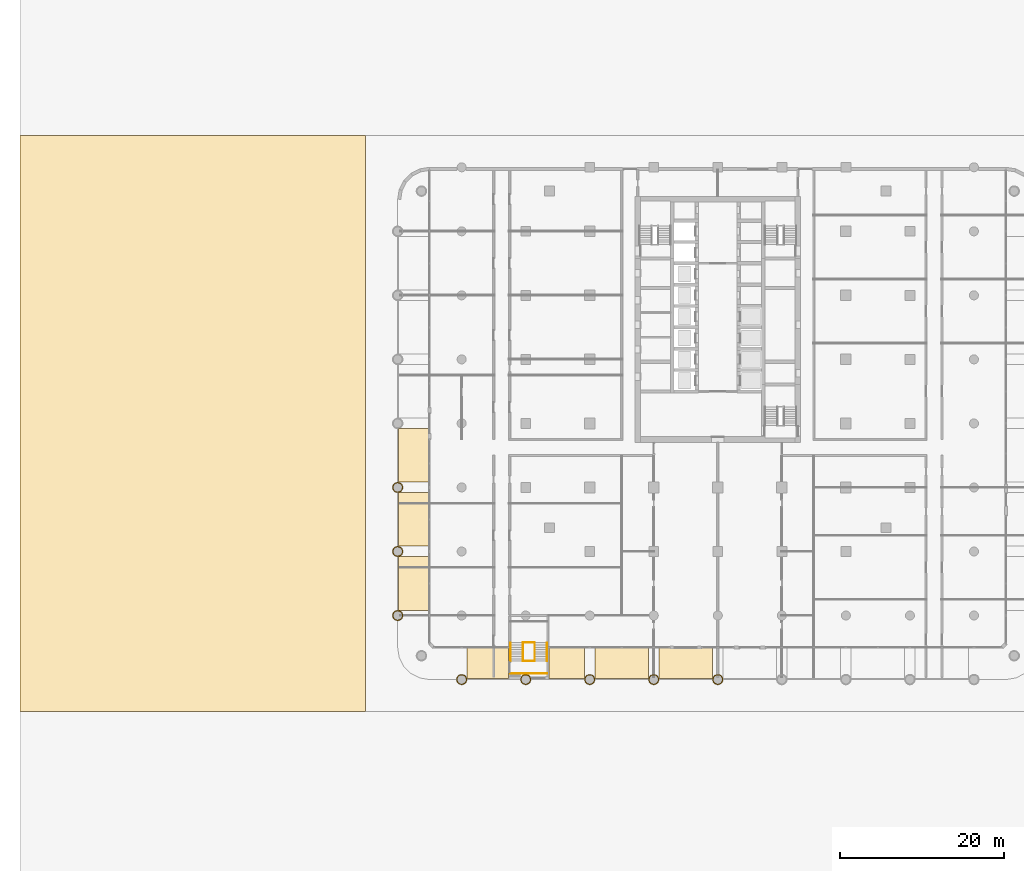
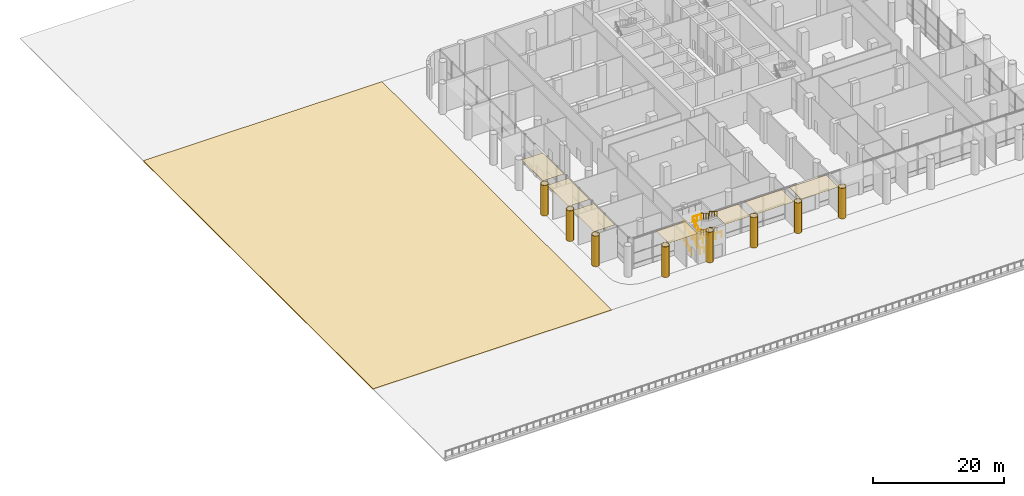
# One storey, part 25 of 32: 16 coverings, 13 railings, 1 element without a shape of its own.
"""IFC4 building model written with IfcOpenShell, lengths in metres."""

import ifcopenshell
import ifcopenshell.guid

model = None  # the IFC model being written
_history = None  # IfcOwnerHistory: only IFC2X3 demands one
_inside = {}  # id of a spatial element -> (the spatial element, [elements in it])
_under = {}  # id of a project, library or spatial element -> (it, [spatial elements below it])
_declared = {}  # id of a project -> (the project, [libraries it declares])
_typed = {}  # id of a type object -> (the type object, [elements of that type])
_made_of = {}  # id of a material, layer set ... -> (it, [elements and type objects made of it])


def new_model(schema):
    """Start an empty IFC model of exactly this schema.

    Asked for "IFC4X3", IfcOpenShell would pick the latest addendum, in which some entities
    have other attributes; the version numbers below select the first issue.
    IFC2X3 requires an IfcOwnerHistory on every rooted entity: one is made here for all.
    """
    global model, _history
    if schema == "IFC4X3":
        model = ifcopenshell.file(schema_version=(4, 3, 0, 0))
    else:
        model = ifcopenshell.file(schema=schema)
    _inside.clear()
    _under.clear()
    _declared.clear()
    _typed.clear()
    _made_of.clear()
    _history = None
    if model.schema == "IFC2X3":
        org = make("IfcOrganization", Name="unknown")
        user = make(
            "IfcPersonAndOrganization",
            ThePerson=make("IfcPerson", FamilyName="unknown"),
            TheOrganization=org,
        )
        app = make(
            "IfcApplication",
            ApplicationDeveloper=org,
            Version="unknown",
            ApplicationFullName="unknown",
            ApplicationIdentifier="unknown",
        )
        _history = make(
            "IfcOwnerHistory",
            OwningUser=user,
            OwningApplication=app,
            ChangeAction="ADDED",
            CreationDate=0,
        )
    return model


def make(cls, **values):
    """One entity of the class cls with the attributes given. An attribute that is None is left unset."""
    return model.create_entity(
        cls, **{name: value for name, value in values.items() if value is not None}
    )


def rooted(cls, **values):
    """An entity with a GlobalId (a new one), such as an element, a storey or a relation."""
    return make(cls, GlobalId=ifcopenshell.guid.new(), OwnerHistory=_history, **values)


def si_unit(unit_type, name, prefix=None):
    """IfcSIUnit, for example si_unit("LENGTHUNIT", "METRE", prefix="MILLI")."""
    return make("IfcSIUnit", UnitType=unit_type, Prefix=prefix, Name=name)


def assignment(units):
    """IfcUnitAssignment: the units of a project."""
    return None if units is None else make("IfcUnitAssignment", Units=units)


def point(xyz):
    """IfcCartesianPoint."""
    return None if xyz is None else make("IfcCartesianPoint", Coordinates=xyz)


def direction(xyz):
    """IfcDirection."""
    return None if xyz is None else make("IfcDirection", DirectionRatios=xyz)


def frame(location, z_axis=None, x_axis=None):
    """IfcAxis2Placement3D, a coordinate frame: its origin and axes. An axis left out is left unset."""
    return make(
        "IfcAxis2Placement3D",
        Location=point(location),
        Axis=direction(z_axis),
        RefDirection=direction(x_axis),
    )


def frame_2d(location, x_axis=None):
    """IfcAxis2Placement2D, a coordinate frame in the plane: its origin and x axis."""
    return make(
        "IfcAxis2Placement2D", Location=point(location), RefDirection=direction(x_axis)
    )


def origin():
    """The frame at (0, 0, 0) with its axes left unset."""
    return frame((0.0, 0.0, 0.0))


def origin_2d():
    """The frame at (0, 0) in the plane with its x axis left unset."""
    return frame_2d((0.0, 0.0))


def place(relative_to, where):
    """IfcLocalPlacement: puts the frame where relative to a parent placement (None: the world)."""
    return make(
        "IfcLocalPlacement", PlacementRelTo=relative_to, RelativePlacement=where
    )


def context(
    kind, dimensions, precision=None, world=None, true_north=None, identifier=None
):
    """IfcGeometricRepresentationContext, for example the 3D "Model" context."""
    return make(
        "IfcGeometricRepresentationContext",
        ContextIdentifier=identifier,
        ContextType=kind,
        CoordinateSpaceDimension=dimensions,
        Precision=precision,
        WorldCoordinateSystem=world,
        TrueNorth=true_north,
    )


def subcontext(parent, identifier, kind, view, scale=None):
    """IfcGeometricRepresentationSubContext, for example "Body" below "Model"."""
    return make(
        "IfcGeometricRepresentationSubContext",
        ContextIdentifier=identifier,
        ContextType=kind,
        ParentContext=parent,
        TargetScale=scale,
        TargetView=view,
    )


def project(units=None, contexts=None):
    """IfcProject with its units and contexts."""
    return rooted(
        "IfcProject",
        Name="project",
        RepresentationContexts=contexts,
        UnitsInContext=assignment(units),
    )


def spatial(cls, under=None, at=None, **own):
    """A site, building, storey or space (cls), placed at a placement, below another one or the project."""
    s = rooted(cls, ObjectPlacement=at, **own)
    if under is not None:
        _under.setdefault(under.id(), (under, []))[1].append(s)
    return s


def polyline(points):
    """IfcPolyline through the points."""
    return make("IfcPolyline", Points=[point(p) for p in points])


def profile(cls, at=None, kind="AREA", **sizes):
    """A parametric profile (cls). Its sizes go by their IFC names, for example OverallWidth=200.0."""
    return make(cls, ProfileType=kind, Position=at, **sizes)


def rectangle(**sizes):
    """IfcRectangleProfileDef."""
    return profile("IfcRectangleProfileDef", **sizes)


def circle(**sizes):
    """IfcCircleProfileDef."""
    return profile("IfcCircleProfileDef", **sizes)


def outline(outer, holes=None, kind="AREA"):
    """IfcArbitraryClosedProfileDef: a profile drawn as a closed curve; with holes, ...WithVoids."""
    if holes is None:
        return make("IfcArbitraryClosedProfileDef", ProfileType=kind, OuterCurve=outer)
    return make(
        "IfcArbitraryProfileDefWithVoids",
        ProfileType=kind,
        OuterCurve=outer,
        InnerCurves=holes,
    )


def extrude(swept, where, along, depth):
    """IfcExtrudedAreaSolid: the profile swept, set in the frame where, extruded along a direction by depth."""
    return make(
        "IfcExtrudedAreaSolid",
        SweptArea=swept,
        Position=where,
        ExtrudedDirection=direction(along),
        Depth=depth,
    )


def shape(context_of_items, identifier, shape_type, items):
    """IfcShapeRepresentation: the items that make up one representation, for example the "Body"."""
    return make(
        "IfcShapeRepresentation",
        ContextOfItems=context_of_items,
        RepresentationIdentifier=identifier,
        RepresentationType=shape_type,
        Items=items,
    )


def material(Name=None, Category=None):
    """IfcMaterial."""
    return make("IfcMaterial", Name=Name, Category=Category)


def layer(
    of_material, thickness, ventilated=None, Name=None, Category=None, Priority=None
):
    """IfcMaterialLayer: one layer of a wall or slab, of a material (None: an air gap)."""
    return make(
        "IfcMaterialLayer",
        Material=of_material,
        LayerThickness=thickness,
        IsVentilated=ventilated,
        Name=Name,
        Category=Category,
        Priority=Priority,
    )


def layer_set(layers, Name=None):
    """IfcMaterialLayerSet."""
    return make("IfcMaterialLayerSet", MaterialLayers=layers, LayerSetName=Name)


def made_of(thing, what):
    """Note that an element or type object is made of a material, layer set ...; save() writes the relation."""
    if what is not None:
        _made_of.setdefault(what.id(), (what, []))[1].append(thing)
    return thing


def type_object(cls, material=None, **own):
    """A type object (cls), such as IfcWallType, which elements share."""
    return made_of(rooted(cls, **own), material)


def element(
    cls,
    number,
    at=None,
    inside=None,
    cuts=None,
    type_object=None,
    material=None,
    context=None,
    identifier="Body",
    shape_type=None,
    held_by="IfcProductDefinitionShape",
    body=None,
    shapes=None,
    **own,
):
    """One element of the class cls, such as IfcWall. Its Tag is "e" and its number.

    at: its placement. inside: the storey or other place that contains it. cuts: it is an
    opening in that element (IfcRelVoidsElement). A single representation is given by context,
    identifier, shape_type and body (its items); several are given by shapes. held_by: the class
    of the entity that holds the representations. save() writes the other relations.
    """
    e = rooted(cls, Tag="e%d" % number, ObjectPlacement=at, **own)
    if body is not None:
        shapes = [shape(context, identifier, shape_type, body)]
    if shapes is not None:
        e.Representation = make(held_by, Representations=shapes)
    if inside is not None:
        _inside.setdefault(inside.id(), (inside, []))[1].append(e)
    if cuts is not None:
        rooted(
            "IfcRelVoidsElement", RelatingBuildingElement=cuts, RelatedOpeningElement=e
        )
    if type_object is not None:
        _typed.setdefault(type_object.id(), (type_object, []))[1].append(e)
    return made_of(e, material)


def aggregate(whole, parts):
    """IfcRelAggregates: a whole, such as a stair, and the parts it consists of."""
    return rooted("IfcRelAggregates", RelatingObject=whole, RelatedObjects=parts)


def save(model, path):
    """Write the relations noted so far, then the file.

    IfcRelAggregates (storeys below a building ...), IfcRelContainedInSpatialStructure (elements
    in a storey), IfcRelDefinesByType, IfcRelAssociatesMaterial and IfcRelDeclares: one each for
    every whole, place, type object, material and project.
    """
    for whole, parts in _under.values():
        aggregate(whole, parts)
    for where, things in _inside.values():
        rooted(
            "IfcRelContainedInSpatialStructure",
            RelatedElements=things,
            RelatingStructure=where,
        )
    for kind, things in _typed.values():
        rooted("IfcRelDefinesByType", RelatedObjects=things, RelatingType=kind)
    for what, things in _made_of.values():
        rooted("IfcRelAssociatesMaterial", RelatedObjects=things, RelatingMaterial=what)
    for by, libraries in _declared.values():
        rooted("IfcRelDeclares", RelatingContext=by, RelatedDefinitions=libraries)
    model.write(path)


model = new_model("IFC4")

# Units and contexts
model_context = context("Model", 3, precision=1e-05, world=origin(), true_north=direction((0.0, 1.0)))
body_context = subcontext(model_context, "Body", "Model", "MODEL_VIEW")
ifc_project = project(units=[si_unit("LENGTHUNIT", "METRE"), si_unit("AREAUNIT", "SQUARE_METRE"), si_unit("VOLUMEUNIT", "CUBIC_METRE"), si_unit("PLANEANGLEUNIT", "RADIAN"), si_unit("MASSUNIT", "GRAM", prefix="KILO")], contexts=[model_context])

# Site, building, storey
site_placement = place(None, origin())
site = spatial("IfcSite", under=ifc_project, at=site_placement, CompositionType="ELEMENT")
building_placement = place(site_placement, origin())
building = spatial("IfcBuilding", under=site, at=building_placement, Name="Ludao Terraces", CompositionType="ELEMENT")
storey_placement = place(building_placement, origin())
storey = spatial("IfcBuildingStorey", under=building, at=storey_placement, Name="L00", CompositionType="ELEMENT", Elevation=0.0)

# Coverings
ifc_material_1 = material(Name="Stone-effect cement board ceiling lining", Category="masonry")
ifc_layer_1 = layer(ifc_material_1, 0.030029296875)
ifc_layer_set_1 = layer_set([ifc_layer_1], Name="ENV Arcade ceiling lining 30")
covering_type_1 = type_object("IfcCoveringType", Name="ENV Arcade ceiling lining 30", PredefinedType="CEILING", material=ifc_layer_set_1)
covering_1_placement = place(storey_placement, frame((56.985107421875, 27.9599609375, 5.669921875), z_axis=(0.0, 0.0, 1.0), x_axis=(1.0, 0.0, 0.0)))
element("IfcCovering", 1, at=covering_1_placement, inside=storey, type_object=covering_type_1, Name="CL-L00-S1", PredefinedType="CEILING", context=body_context, shape_type="SweptSolid", body=[
    extrude(rectangle(XDim=5.090087890625, YDim=3.719970703125, at=origin_2d()), origin(), (0.0, 0.0, 1.0), 0.030029296875),
])
covering_2_placement = place(storey_placement, frame((66.590087890625, 27.9599609375, 5.669921875), z_axis=(0.0, 0.0, 1.0), x_axis=(1.0, 0.0, 0.0)))
element("IfcCovering", 2, at=covering_2_placement, inside=storey, type_object=covering_type_1, Name="CL-L00-S2", PredefinedType="CEILING", context=body_context, shape_type="SweptSolid", body=[
    extrude(rectangle(XDim=4.340087890625, YDim=3.719970703125, at=origin_2d()), origin(), (0.0, 0.0, 1.0), 0.030029296875),
])
for number, where, z_axis, x_axis, name in (
    (3, (73.300048828125, 27.9599609375, 5.669921875), (0.0, 0.0, 1.0), (1.0, 0.0, 0.0), "CL-L00-S3"),
    (4, (81.10009765625, 27.9599609375, 5.669921875), (0.0, 0.0, 1.0), (1.0, 0.0, 0.0), "CL-L00-S4"),
):
    element("IfcCovering", number, at=place(storey_placement, frame(where, z_axis=z_axis, x_axis=x_axis)), inside=storey, type_object=covering_type_1, Name=name, PredefinedType="CEILING", context=body_context, shape_type="SweptSolid", body=[
        extrude(rectangle(XDim=6.52001953125, YDim=3.719970703125, at=origin_2d()), origin(), (0.0, 0.0, 1.0), 0.030029296875),
    ])
for number, where, z_axis, x_axis, name in (
    (5, (47.9599609375, 37.699951171875, 5.669921875), (0.0, 0.0, 1.0), (1.0, 0.0, 0.0), "CL-L00-W1"),
    (6, (47.9599609375, 45.5, 5.669921875), (0.0, 0.0, 1.0), (1.0, 0.0, 0.0), "CL-L00-W2"),
    (7, (47.9599609375, 53.300048828125, 5.669921875), (0.0, 0.0, 1.0), (1.0, 0.0, 0.0), "CL-L00-W3"),
):
    element("IfcCovering", number, at=place(storey_placement, frame(where, z_axis=z_axis, x_axis=x_axis)), inside=storey, type_object=covering_type_1, Name=name, PredefinedType="CEILING", context=body_context, shape_type="SweptSolid", body=[
        extrude(rectangle(XDim=3.719970703125, YDim=6.52001953125, at=origin_2d()), origin(), (0.0, 0.0, 1.0), 0.030029296875),
    ])
ifc_material_2 = material(Name="Granite paving", Category="masonry")
ifc_layer_2 = layer(ifc_material_2, 0.14990234375)
ifc_layer_set_2 = layer_set([ifc_layer_2], Name="ENV Paving 150")
covering_type_2 = type_object("IfcCoveringType", Name="ENV Paving 150", PredefinedType="USERDEFINED", material=ifc_layer_set_2)
covering_3_placement = place(storey_placement, frame((0.0, 0.0, -0.14990234375)))
element("IfcCovering", 8, at=covering_3_placement, inside=storey, type_object=covering_type_2, Name="West Plaza paving", ObjectType="PAVING", PredefinedType="USERDEFINED", context=body_context, shape_type="SweptSolid", body=[
    extrude(outline(polyline([(0.0, 22.10009765625), (42.10009765625, 22.10009765625), (42.10009765625, 92.300048828125), (0.0, 92.300048828125), (0.0, 22.10009765625)])), origin(), (0.0, 0.0, 1.0), 0.14990234375),
])
ifc_material_3 = material(Name="Granite cladding", Category="masonry")
ifc_layer_3 = layer(ifc_material_3, 0.06005859375)
ifc_layer_set_3 = layer_set([ifc_layer_3], Name="ENV Stone column casing 60")
covering_type_3 = type_object("IfcCoveringType", Name="ENV Stone column casing 60", PredefinedType="CLADDING", material=ifc_layer_set_3)
covering_4_placement = place(storey_placement, origin())
element("IfcCovering", 9, at=covering_4_placement, inside=storey, type_object=covering_type_3, Name="CC-L00-G-156x-078", PredefinedType="CLADDING", context=body_context, shape_type="SweptSolid", body=[
    extrude(outline(polyline([(46.61474609375, 33.800048828125), (46.59375, 33.959228515625), (46.532470703125, 34.107421875), (46.4345703125, 34.234619140625), (46.307373046875, 34.332275390625), (46.1591796875, 34.393798828125), (46.0, 34.414794921875), (45.8408203125, 34.393798828125), (45.692626953125, 34.332275390625), (45.5654296875, 34.234619140625), (45.467529296875, 34.107421875), (45.40625, 33.959228515625), (45.38525390625, 33.800048828125), (45.40625, 33.640869140625), (45.467529296875, 33.49267578125), (45.5654296875, 33.365234375), (45.692626953125, 33.267578125), (45.8408203125, 33.206298828125), (46.0, 33.185302734375), (46.1591796875, 33.206298828125), (46.307373046875, 33.267578125), (46.4345703125, 33.365234375), (46.532470703125, 33.49267578125), (46.59375, 33.640869140625), (46.61474609375, 33.800048828125)]), holes=[polyline([(46.535888671875, 33.656494140625), (46.48046875, 33.522705078125), (46.392333984375, 33.40771484375), (46.27734375, 33.319580078125), (46.1435546875, 33.26416015625), (46.0, 33.245361328125), (45.8564453125, 33.26416015625), (45.72265625, 33.319580078125), (45.607666015625, 33.40771484375), (45.51953125, 33.522705078125), (45.464111328125, 33.656494140625), (45.4453125, 33.800048828125), (45.464111328125, 33.943603515625), (45.51953125, 34.077392578125), (45.607666015625, 34.1923828125), (45.72265625, 34.280517578125), (45.8564453125, 34.3359375), (46.0, 34.354736328125), (46.1435546875, 34.3359375), (46.27734375, 34.280517578125), (46.392333984375, 34.1923828125), (46.48046875, 34.077392578125), (46.535888671875, 33.943603515625), (46.5546875, 33.800048828125), (46.535888671875, 33.656494140625)])]), origin(), (0.0, 0.0, 1.0), 5.699951171875),
])
covering_5_placement = place(storey_placement, origin())
element("IfcCovering", 10, at=covering_5_placement, inside=storey, type_object=covering_type_3, Name="CC-L00-G-156x0000", PredefinedType="CLADDING", context=body_context, shape_type="SweptSolid", body=[
    extrude(outline(polyline([(46.61474609375, 41.60009765625), (46.59375, 41.759033203125), (46.532470703125, 41.907470703125), (46.4345703125, 42.03466796875), (46.307373046875, 42.13232421875), (46.1591796875, 42.19384765625), (46.0, 42.21484375), (45.8408203125, 42.19384765625), (45.692626953125, 42.13232421875), (45.5654296875, 42.03466796875), (45.467529296875, 41.907470703125), (45.40625, 41.759033203125), (45.38525390625, 41.60009765625), (45.40625, 41.44091796875), (45.467529296875, 41.292724609375), (45.5654296875, 41.165283203125), (45.692626953125, 41.067626953125), (45.8408203125, 41.006103515625), (46.0, 40.9853515625), (46.1591796875, 41.006103515625), (46.307373046875, 41.067626953125), (46.4345703125, 41.165283203125), (46.532470703125, 41.292724609375), (46.59375, 41.44091796875), (46.61474609375, 41.60009765625)]), holes=[polyline([(46.535888671875, 41.45654296875), (46.48046875, 41.322509765625), (46.392333984375, 41.207763671875), (46.27734375, 41.11962890625), (46.1435546875, 41.064208984375), (46.0, 41.045166015625), (45.8564453125, 41.064208984375), (45.72265625, 41.11962890625), (45.607666015625, 41.207763671875), (45.51953125, 41.322509765625), (45.464111328125, 41.45654296875), (45.4453125, 41.60009765625), (45.464111328125, 41.74365234375), (45.51953125, 41.87744140625), (45.607666015625, 41.9921875), (45.72265625, 42.080322265625), (45.8564453125, 42.1357421875), (46.0, 42.15478515625), (46.1435546875, 42.1357421875), (46.27734375, 42.080322265625), (46.392333984375, 41.9921875), (46.48046875, 41.87744140625), (46.535888671875, 41.74365234375), (46.5546875, 41.60009765625), (46.535888671875, 41.45654296875)])]), origin(), (0.0, 0.0, 1.0), 5.699951171875),
])
covering_6_placement = place(storey_placement, origin())
element("IfcCovering", 11, at=covering_6_placement, inside=storey, type_object=covering_type_3, Name="CC-L00-G-156x0078", PredefinedType="CLADDING", context=body_context, shape_type="SweptSolid", body=[
    extrude(outline(polyline([(46.61474609375, 49.39990234375), (46.59375, 49.55908203125), (46.532470703125, 49.707275390625), (46.4345703125, 49.834716796875), (46.307373046875, 49.932373046875), (46.1591796875, 49.993896484375), (46.0, 50.0146484375), (45.8408203125, 49.993896484375), (45.692626953125, 49.932373046875), (45.5654296875, 49.834716796875), (45.467529296875, 49.707275390625), (45.40625, 49.55908203125), (45.38525390625, 49.39990234375), (45.40625, 49.240966796875), (45.467529296875, 49.092529296875), (45.5654296875, 48.96533203125), (45.692626953125, 48.86767578125), (45.8408203125, 48.80615234375), (46.0, 48.78515625), (46.1591796875, 48.80615234375), (46.307373046875, 48.86767578125), (46.4345703125, 48.96533203125), (46.532470703125, 49.092529296875), (46.59375, 49.240966796875), (46.61474609375, 49.39990234375)]), holes=[polyline([(46.535888671875, 49.25634765625), (46.48046875, 49.12255859375), (46.392333984375, 49.0078125), (46.27734375, 48.919677734375), (46.1435546875, 48.8642578125), (46.0, 48.84521484375), (45.8564453125, 48.8642578125), (45.72265625, 48.919677734375), (45.607666015625, 49.0078125), (45.51953125, 49.12255859375), (45.464111328125, 49.25634765625), (45.4453125, 49.39990234375), (45.464111328125, 49.54345703125), (45.51953125, 49.677490234375), (45.607666015625, 49.792236328125), (45.72265625, 49.88037109375), (45.8564453125, 49.935791015625), (46.0, 49.954833984375), (46.1435546875, 49.935791015625), (46.27734375, 49.88037109375), (46.392333984375, 49.792236328125), (46.48046875, 49.677490234375), (46.535888671875, 49.54345703125), (46.5546875, 49.39990234375), (46.535888671875, 49.25634765625)])]), origin(), (0.0, 0.0, 1.0), 5.699951171875),
])
covering_7_placement = place(storey_placement, origin())
element("IfcCovering", 12, at=covering_7_placement, inside=storey, type_object=covering_type_3, Name="CC-L00-G-078x-156", PredefinedType="CLADDING", context=body_context, shape_type="SweptSolid", body=[
    extrude(outline(polyline([(54.414794921875, 26.0), (54.393798828125, 26.1591796875), (54.332275390625, 26.307373046875), (54.234619140625, 26.4345703125), (54.107421875, 26.532470703125), (53.959228515625, 26.59375), (53.800048828125, 26.61474609375), (53.640869140625, 26.59375), (53.49267578125, 26.532470703125), (53.365234375, 26.4345703125), (53.267578125, 26.307373046875), (53.206298828125, 26.1591796875), (53.185302734375, 26.0), (53.206298828125, 25.8408203125), (53.267578125, 25.692626953125), (53.365234375, 25.5654296875), (53.49267578125, 25.467529296875), (53.640869140625, 25.40625), (53.800048828125, 25.38525390625), (53.959228515625, 25.40625), (54.107421875, 25.467529296875), (54.234619140625, 25.5654296875), (54.332275390625, 25.692626953125), (54.393798828125, 25.8408203125), (54.414794921875, 26.0)]), holes=[polyline([(54.3359375, 25.8564453125), (54.280517578125, 25.72265625), (54.1923828125, 25.607666015625), (54.077392578125, 25.51953125), (53.943603515625, 25.464111328125), (53.800048828125, 25.4453125), (53.656494140625, 25.464111328125), (53.522705078125, 25.51953125), (53.40771484375, 25.607666015625), (53.319580078125, 25.72265625), (53.26416015625, 25.8564453125), (53.245361328125, 26.0), (53.26416015625, 26.1435546875), (53.319580078125, 26.27734375), (53.40771484375, 26.392333984375), (53.522705078125, 26.48046875), (53.656494140625, 26.535888671875), (53.800048828125, 26.5546875), (53.943603515625, 26.535888671875), (54.077392578125, 26.48046875), (54.1923828125, 26.392333984375), (54.280517578125, 26.27734375), (54.3359375, 26.1435546875), (54.354736328125, 26.0), (54.3359375, 25.8564453125)])]), origin(), (0.0, 0.0, 1.0), 5.699951171875),
])
covering_8_placement = place(storey_placement, origin())
element("IfcCovering", 13, at=covering_8_placement, inside=storey, type_object=covering_type_3, Name="CC-L00-G0000x-156", PredefinedType="CLADDING", context=body_context, shape_type="SweptSolid", body=[
    extrude(outline(polyline([(62.21484375, 26.0), (62.19384765625, 26.1591796875), (62.13232421875, 26.307373046875), (62.03466796875, 26.4345703125), (61.907470703125, 26.532470703125), (61.759033203125, 26.59375), (61.60009765625, 26.61474609375), (61.44091796875, 26.59375), (61.292724609375, 26.532470703125), (61.165283203125, 26.4345703125), (61.067626953125, 26.307373046875), (61.006103515625, 26.1591796875), (60.9853515625, 26.0), (61.006103515625, 25.8408203125), (61.067626953125, 25.692626953125), (61.165283203125, 25.5654296875), (61.292724609375, 25.467529296875), (61.44091796875, 25.40625), (61.60009765625, 25.38525390625), (61.759033203125, 25.40625), (61.907470703125, 25.467529296875), (62.03466796875, 25.5654296875), (62.13232421875, 25.692626953125), (62.19384765625, 25.8408203125), (62.21484375, 26.0)]), holes=[polyline([(62.1357421875, 25.8564453125), (62.080322265625, 25.72265625), (61.9921875, 25.607666015625), (61.87744140625, 25.51953125), (61.74365234375, 25.464111328125), (61.60009765625, 25.4453125), (61.45654296875, 25.464111328125), (61.322509765625, 25.51953125), (61.207763671875, 25.607666015625), (61.11962890625, 25.72265625), (61.064208984375, 25.8564453125), (61.045166015625, 26.0), (61.064208984375, 26.1435546875), (61.11962890625, 26.27734375), (61.207763671875, 26.392333984375), (61.322509765625, 26.48046875), (61.45654296875, 26.535888671875), (61.60009765625, 26.5546875), (61.74365234375, 26.535888671875), (61.87744140625, 26.48046875), (61.9921875, 26.392333984375), (62.080322265625, 26.27734375), (62.1357421875, 26.1435546875), (62.15478515625, 26.0), (62.1357421875, 25.8564453125)])]), origin(), (0.0, 0.0, 1.0), 5.699951171875),
])
covering_9_placement = place(storey_placement, origin())
element("IfcCovering", 14, at=covering_9_placement, inside=storey, type_object=covering_type_3, Name="CC-L00-G0078x-156", PredefinedType="CLADDING", context=body_context, shape_type="SweptSolid", body=[
    extrude(outline(polyline([(70.0146484375, 26.0), (69.993896484375, 26.1591796875), (69.932373046875, 26.307373046875), (69.834716796875, 26.4345703125), (69.707275390625, 26.532470703125), (69.55908203125, 26.59375), (69.39990234375, 26.61474609375), (69.240966796875, 26.59375), (69.092529296875, 26.532470703125), (68.96533203125, 26.4345703125), (68.86767578125, 26.307373046875), (68.80615234375, 26.1591796875), (68.78515625, 26.0), (68.80615234375, 25.8408203125), (68.86767578125, 25.692626953125), (68.96533203125, 25.5654296875), (69.092529296875, 25.467529296875), (69.240966796875, 25.40625), (69.39990234375, 25.38525390625), (69.55908203125, 25.40625), (69.707275390625, 25.467529296875), (69.834716796875, 25.5654296875), (69.932373046875, 25.692626953125), (69.993896484375, 25.8408203125), (70.0146484375, 26.0)]), holes=[polyline([(69.935791015625, 25.8564453125), (69.88037109375, 25.72265625), (69.792236328125, 25.607666015625), (69.677490234375, 25.51953125), (69.54345703125, 25.464111328125), (69.39990234375, 25.4453125), (69.25634765625, 25.464111328125), (69.12255859375, 25.51953125), (69.0078125, 25.607666015625), (68.919677734375, 25.72265625), (68.8642578125, 25.8564453125), (68.84521484375, 26.0), (68.8642578125, 26.1435546875), (68.919677734375, 26.27734375), (69.0078125, 26.392333984375), (69.12255859375, 26.48046875), (69.25634765625, 26.535888671875), (69.39990234375, 26.5546875), (69.54345703125, 26.535888671875), (69.677490234375, 26.48046875), (69.792236328125, 26.392333984375), (69.88037109375, 26.27734375), (69.935791015625, 26.1435546875), (69.954833984375, 26.0), (69.935791015625, 25.8564453125)])]), origin(), (0.0, 0.0, 1.0), 5.699951171875),
])
covering_10_placement = place(storey_placement, origin())
element("IfcCovering", 15, at=covering_10_placement, inside=storey, type_object=covering_type_3, Name="CC-L00-G0156x-156", PredefinedType="CLADDING", context=body_context, shape_type="SweptSolid", body=[
    extrude(outline(polyline([(77.814697265625, 26.0), (77.793701171875, 26.1591796875), (77.732421875, 26.307373046875), (77.634765625, 26.4345703125), (77.50732421875, 26.532470703125), (77.359130859375, 26.59375), (77.199951171875, 26.61474609375), (77.040771484375, 26.59375), (76.892578125, 26.532470703125), (76.765380859375, 26.4345703125), (76.667724609375, 26.307373046875), (76.606201171875, 26.1591796875), (76.585205078125, 26.0), (76.606201171875, 25.8408203125), (76.667724609375, 25.692626953125), (76.765380859375, 25.5654296875), (76.892578125, 25.467529296875), (77.040771484375, 25.40625), (77.199951171875, 25.38525390625), (77.359130859375, 25.40625), (77.50732421875, 25.467529296875), (77.634765625, 25.5654296875), (77.732421875, 25.692626953125), (77.793701171875, 25.8408203125), (77.814697265625, 26.0)]), holes=[polyline([(77.73583984375, 25.8564453125), (77.680419921875, 25.72265625), (77.59228515625, 25.607666015625), (77.477294921875, 25.51953125), (77.343505859375, 25.464111328125), (77.199951171875, 25.4453125), (77.056396484375, 25.464111328125), (76.922607421875, 25.51953125), (76.8076171875, 25.607666015625), (76.719482421875, 25.72265625), (76.6640625, 25.8564453125), (76.645263671875, 26.0), (76.6640625, 26.1435546875), (76.719482421875, 26.27734375), (76.8076171875, 26.392333984375), (76.922607421875, 26.48046875), (77.056396484375, 26.535888671875), (77.199951171875, 26.5546875), (77.343505859375, 26.535888671875), (77.477294921875, 26.48046875), (77.59228515625, 26.392333984375), (77.680419921875, 26.27734375), (77.73583984375, 26.1435546875), (77.754638671875, 26.0), (77.73583984375, 25.8564453125)])]), origin(), (0.0, 0.0, 1.0), 5.699951171875),
])
covering_11_placement = place(storey_placement, origin())
element("IfcCovering", 16, at=covering_11_placement, inside=storey, type_object=covering_type_3, Name="CC-L00-G0234x-156", PredefinedType="CLADDING", context=body_context, shape_type="SweptSolid", body=[
    extrude(outline(polyline([(85.61474609375, 26.0), (85.59375, 26.1591796875), (85.532470703125, 26.307373046875), (85.4345703125, 26.4345703125), (85.307373046875, 26.532470703125), (85.1591796875, 26.59375), (85.0, 26.61474609375), (84.8408203125, 26.59375), (84.692626953125, 26.532470703125), (84.5654296875, 26.4345703125), (84.467529296875, 26.307373046875), (84.40625, 26.1591796875), (84.38525390625, 26.0), (84.40625, 25.8408203125), (84.467529296875, 25.692626953125), (84.5654296875, 25.5654296875), (84.692626953125, 25.467529296875), (84.8408203125, 25.40625), (85.0, 25.38525390625), (85.1591796875, 25.40625), (85.307373046875, 25.467529296875), (85.4345703125, 25.5654296875), (85.532470703125, 25.692626953125), (85.59375, 25.8408203125), (85.61474609375, 26.0)]), holes=[polyline([(85.535888671875, 25.8564453125), (85.48046875, 25.72265625), (85.392333984375, 25.607666015625), (85.27734375, 25.51953125), (85.1435546875, 25.464111328125), (85.0, 25.4453125), (84.8564453125, 25.464111328125), (84.72265625, 25.51953125), (84.607666015625, 25.607666015625), (84.51953125, 25.72265625), (84.464111328125, 25.8564453125), (84.4453125, 26.0), (84.464111328125, 26.1435546875), (84.51953125, 26.27734375), (84.607666015625, 26.392333984375), (84.72265625, 26.48046875), (84.8564453125, 26.535888671875), (85.0, 26.5546875), (85.1435546875, 26.535888671875), (85.27734375, 26.48046875), (85.392333984375, 26.392333984375), (85.48046875, 26.27734375), (85.535888671875, 26.1435546875), (85.5546875, 26.0), (85.535888671875, 25.8564453125)])]), origin(), (0.0, 0.0, 1.0), 5.699951171875),
])

# Stair, railings
ifc_material_4 = material(Name="Concrete C40", Category="concrete")
stair_type = type_object("IfcStairType", Name="INT Stair", PredefinedType="HALF_TURN_STAIR", material=ifc_material_4)
stair_placement = place(storey_placement, origin())
stair = element("IfcStair", 17, at=stair_placement, inside=storey, type_object=stair_type, Name="EXIT STAIR 4", PredefinedType="HALF_TURN_STAIR")
ifc_material_5 = material(Name="Stainless steel 304", Category="steel")
railing_type_1 = type_object("IfcRailingType", Name="INT Stair guard 1100", PredefinedType="GUARDRAIL", material=ifc_material_5)
railing_1_placement = place(storey_placement, frame((61.25, 28.25, 0.166748046875)))
railing_1 = element("IfcRailing", 18, at=railing_1_placement, type_object=railing_type_1, Name="ST-L00-S4-R1G", PredefinedType="GUARDRAIL", context=body_context, shape_type="SweptSolid", body=[
    extrude(circle(Radius=0.02392578125, at=origin_2d()), frame((0.0, 0.0, 1.076171875), z_axis=(0.0, 0.859305625298, 0.511462454469), x_axis=(-1.0, 0.0, 0.0)), (0.0, 0.0, 1.0), 2.606689453125),
    extrude(circle(Radius=0.02099609375, at=origin_2d()), origin(), (0.0, 0.0, 1.0), 1.052001953125),
    extrude(circle(Radius=0.02099609375, at=origin_2d()), frame((0.0, 0.74658203125, 0.4443359375)), (0.0, 0.0, 1.0), 1.052001953125),
    extrude(circle(Radius=0.02099609375, at=origin_2d()), frame((0.0, 1.493408203125, 0.888916015625)), (0.0, 0.0, 1.0), 1.052001953125),
    extrude(circle(Radius=0.02099609375, at=origin_2d()), frame((0.0, 2.239990234375, 1.333251953125)), (0.0, 0.0, 1.0), 1.052001953125),
])
railing_2_placement = place(storey_placement, frame((62.699951171875, 30.489990234375, 1.666748046875)))
railing_2 = element("IfcRailing", 19, at=railing_2_placement, type_object=railing_type_1, Name="ST-L00-S4-R2G", PredefinedType="GUARDRAIL", context=body_context, shape_type="SweptSolid", body=[
    extrude(circle(Radius=0.02392578125, at=origin_2d()), frame((0.0, 0.0, 1.076171875), z_axis=(0.0, -0.859305625298, 0.511462454469), x_axis=(1.0, 0.0, 0.0)), (0.0, 0.0, 1.0), 2.606689453125),
    extrude(circle(Radius=0.02099609375, at=origin_2d()), origin(), (0.0, 0.0, 1.0), 1.052001953125),
    extrude(circle(Radius=0.02099609375, at=origin_2d()), frame((0.0, -0.74658203125, 0.4443359375)), (0.0, 0.0, 1.0), 1.052001953125),
    extrude(circle(Radius=0.02099609375, at=origin_2d()), frame((0.0, -1.493408203125, 0.888916015625)), (0.0, 0.0, 1.0), 1.052001953125),
    extrude(circle(Radius=0.02099609375, at=origin_2d()), frame((0.0, -2.239990234375, 1.333251953125)), (0.0, 0.0, 1.0), 1.052001953125),
])
railing_3_placement = place(storey_placement, frame((61.25, 28.25, 3.166748046875)))
railing_3 = element("IfcRailing", 20, at=railing_3_placement, type_object=railing_type_1, Name="ST-L00-S4-R3G", PredefinedType="GUARDRAIL", context=body_context, shape_type="SweptSolid", body=[
    extrude(circle(Radius=0.02392578125, at=origin_2d()), frame((0.0, 0.0, 1.076171875), z_axis=(0.0, 0.859305625298, 0.511462454469), x_axis=(-1.0, 0.0, 0.0)), (0.0, 0.0, 1.0), 2.606689453125),
    extrude(circle(Radius=0.02099609375, at=origin_2d()), origin(), (0.0, 0.0, 1.0), 1.052001953125),
    extrude(circle(Radius=0.02099609375, at=origin_2d()), frame((0.0, 0.74658203125, 0.4443359375)), (0.0, 0.0, 1.0), 1.052001953125),
    extrude(circle(Radius=0.02099609375, at=origin_2d()), frame((0.0, 1.493408203125, 0.888916015625)), (0.0, 0.0, 1.0), 1.052001953125),
    extrude(circle(Radius=0.02099609375, at=origin_2d()), frame((0.0, 2.239990234375, 1.333251953125)), (0.0, 0.0, 1.0), 1.052001953125),
])
railing_4_placement = place(storey_placement, frame((62.699951171875, 30.489990234375, 4.666748046875)))
railing_4 = element("IfcRailing", 21, at=railing_4_placement, type_object=railing_type_1, Name="ST-L00-S4-R4G", PredefinedType="GUARDRAIL", context=body_context, shape_type="SweptSolid", body=[
    extrude(circle(Radius=0.02392578125, at=origin_2d()), frame((0.0, 0.0, 1.076171875), z_axis=(0.0, -0.859305625298, 0.511462454469), x_axis=(1.0, 0.0, 0.0)), (0.0, 0.0, 1.0), 2.606689453125),
    extrude(circle(Radius=0.02099609375, at=origin_2d()), origin(), (0.0, 0.0, 1.0), 1.052001953125),
    extrude(circle(Radius=0.02099609375, at=origin_2d()), frame((0.0, -0.74658203125, 0.4443359375)), (0.0, 0.0, 1.0), 1.052001953125),
    extrude(circle(Radius=0.02099609375, at=origin_2d()), frame((0.0, -1.493408203125, 0.888916015625)), (0.0, 0.0, 1.0), 1.052001953125),
    extrude(circle(Radius=0.02099609375, at=origin_2d()), frame((0.0, -2.239990234375, 1.333251953125)), (0.0, 0.0, 1.0), 1.052001953125),
])
railing_5_placement = place(storey_placement, frame((61.25, 30.489990234375, 1.5)))
railing_5 = element("IfcRailing", 22, at=railing_5_placement, type_object=railing_type_1, Name="ST-L00-S4-E1G", PredefinedType="GUARDRAIL", context=body_context, shape_type="SweptSolid", body=[
    extrude(circle(Radius=0.02392578125, at=origin_2d()), frame((0.0, 0.0, 1.076171875), z_axis=(1.0, 0.0, 0.0), x_axis=(0.0, 1.0, 0.0)), (0.0, 0.0, 1.0), 1.449951171875),
    extrude(circle(Radius=0.02099609375, at=origin_2d()), origin(), (0.0, 0.0, 1.0), 1.052001953125),
    extrude(circle(Radius=0.02099609375, at=origin_2d()), frame((0.72509765625, 0.0, 0.0)), (0.0, 0.0, 1.0), 1.052001953125),
    extrude(circle(Radius=0.02099609375, at=origin_2d()), frame((1.449951171875, 0.0, 0.0)), (0.0, 0.0, 1.0), 1.052001953125),
])
railing_6_placement = place(storey_placement, frame((61.25, 28.25, 3.0)))
railing_6 = element("IfcRailing", 23, at=railing_6_placement, type_object=railing_type_1, Name="ST-L00-S4-E3G", PredefinedType="GUARDRAIL", context=body_context, shape_type="SweptSolid", body=[
    extrude(circle(Radius=0.02392578125, at=origin_2d()), frame((0.0, 0.0, 1.076171875), z_axis=(1.0, 0.0, 0.0), x_axis=(0.0, 1.0, 0.0)), (0.0, 0.0, 1.0), 1.449951171875),
    extrude(circle(Radius=0.02099609375, at=origin_2d()), origin(), (0.0, 0.0, 1.0), 1.052001953125),
    extrude(circle(Radius=0.02099609375, at=origin_2d()), frame((0.72509765625, 0.0, 0.0)), (0.0, 0.0, 1.0), 1.052001953125),
    extrude(circle(Radius=0.02099609375, at=origin_2d()), frame((1.449951171875, 0.0, 0.0)), (0.0, 0.0, 1.0), 1.052001953125),
])
railing_7_placement = place(storey_placement, frame((59.75, 26.75, 3.0)))
railing_7 = element("IfcRailing", 24, at=railing_7_placement, type_object=railing_type_1, Name="ST-L00-S4-E4G", PredefinedType="GUARDRAIL", context=body_context, shape_type="SweptSolid", body=[
    extrude(circle(Radius=0.02392578125, at=origin_2d()), frame((0.0, 0.0, 1.076171875), z_axis=(1.0, 0.0, 0.0), x_axis=(0.0, 1.0, 0.0)), (0.0, 0.0, 1.0), 4.449951171875),
    extrude(circle(Radius=0.02099609375, at=origin_2d()), origin(), (0.0, 0.0, 1.0), 1.052001953125),
    extrude(circle(Radius=0.02099609375, at=origin_2d()), frame((1.112548828125, 0.0, 0.0)), (0.0, 0.0, 1.0), 1.052001953125),
    extrude(circle(Radius=0.02099609375, at=origin_2d()), frame((2.22509765625, 0.0, 0.0)), (0.0, 0.0, 1.0), 1.052001953125),
    extrude(circle(Radius=0.02099609375, at=origin_2d()), frame((3.33740234375, 0.0, 0.0)), (0.0, 0.0, 1.0), 1.052001953125),
    extrude(circle(Radius=0.02099609375, at=origin_2d()), frame((4.449951171875, 0.0, 0.0)), (0.0, 0.0, 1.0), 1.052001953125),
])
railing_8_placement = place(storey_placement, frame((61.25, 30.489990234375, 4.5)))
railing_8 = element("IfcRailing", 25, at=railing_8_placement, type_object=railing_type_1, Name="ST-L00-S4-E5G", PredefinedType="GUARDRAIL", context=body_context, shape_type="SweptSolid", body=[
    extrude(circle(Radius=0.02392578125, at=origin_2d()), frame((0.0, 0.0, 1.076171875), z_axis=(1.0, 0.0, 0.0), x_axis=(0.0, 1.0, 0.0)), (0.0, 0.0, 1.0), 1.449951171875),
    extrude(circle(Radius=0.02099609375, at=origin_2d()), origin(), (0.0, 0.0, 1.0), 1.052001953125),
    extrude(circle(Radius=0.02099609375, at=origin_2d()), frame((0.72509765625, 0.0, 0.0)), (0.0, 0.0, 1.0), 1.052001953125),
    extrude(circle(Radius=0.02099609375, at=origin_2d()), frame((1.449951171875, 0.0, 0.0)), (0.0, 0.0, 1.0), 1.052001953125),
])
railing_9_placement = place(storey_placement, frame((61.25, 28.25, 0.0)))
railing_9 = element("IfcRailing", 26, at=railing_9_placement, type_object=railing_type_1, Name="ST-L00-S4-E7G", PredefinedType="GUARDRAIL", context=body_context, shape_type="SweptSolid", body=[
    extrude(circle(Radius=0.02392578125, at=origin_2d()), frame((0.0, 0.0, 1.076171875), z_axis=(1.0, 0.0, 0.0), x_axis=(0.0, 1.0, 0.0)), (0.0, 0.0, 1.0), 1.449951171875),
    extrude(circle(Radius=0.02099609375, at=origin_2d()), origin(), (0.0, 0.0, 1.0), 1.052001953125),
    extrude(circle(Radius=0.02099609375, at=origin_2d()), frame((0.72509765625, 0.0, 0.0)), (0.0, 0.0, 1.0), 1.052001953125),
    extrude(circle(Radius=0.02099609375, at=origin_2d()), frame((1.449951171875, 0.0, 0.0)), (0.0, 0.0, 1.0), 1.052001953125),
])
railing_type_2 = type_object("IfcRailingType", Name="INT Stair handrail 900", PredefinedType="HANDRAIL", material=ifc_material_5)
railing_10_placement = place(storey_placement, frame((59.75, 28.25, 0.166748046875)))
railing_10 = element("IfcRailing", 27, at=railing_10_placement, type_object=railing_type_2, Name="ST-L00-S4-R1H", PredefinedType="HANDRAIL", context=body_context, shape_type="SweptSolid", body=[
    extrude(circle(Radius=0.02392578125, at=origin_2d()), frame((0.0, 0.0, 0.8759765625), z_axis=(0.0, 0.859305625298, 0.511462454469), x_axis=(-1.0, 0.0, 0.0)), (0.0, 0.0, 1.0), 2.606689453125),
    extrude(circle(Radius=0.02099609375, at=origin_2d()), origin(), (0.0, 0.0, 1.0), 0.851806640625),
    extrude(circle(Radius=0.02099609375, at=origin_2d()), frame((0.0, 0.74658203125, 0.4443359375)), (0.0, 0.0, 1.0), 0.851806640625),
    extrude(circle(Radius=0.02099609375, at=origin_2d()), frame((0.0, 1.493408203125, 0.888916015625)), (0.0, 0.0, 1.0), 0.851806640625),
    extrude(circle(Radius=0.02099609375, at=origin_2d()), frame((0.0, 2.239990234375, 1.333251953125)), (0.0, 0.0, 1.0), 0.851806640625),
])
railing_11_placement = place(storey_placement, frame((64.199951171875, 30.489990234375, 1.666748046875)))
railing_11 = element("IfcRailing", 28, at=railing_11_placement, type_object=railing_type_2, Name="ST-L00-S4-R2H", PredefinedType="HANDRAIL", context=body_context, shape_type="SweptSolid", body=[
    extrude(circle(Radius=0.02392578125, at=origin_2d()), frame((0.0, 0.0, 0.8759765625), z_axis=(0.0, -0.859305625298, 0.511462454469), x_axis=(1.0, 0.0, 0.0)), (0.0, 0.0, 1.0), 2.606689453125),
    extrude(circle(Radius=0.02099609375, at=origin_2d()), origin(), (0.0, 0.0, 1.0), 0.851806640625),
    extrude(circle(Radius=0.02099609375, at=origin_2d()), frame((0.0, -0.74658203125, 0.4443359375)), (0.0, 0.0, 1.0), 0.851806640625),
    extrude(circle(Radius=0.02099609375, at=origin_2d()), frame((0.0, -1.493408203125, 0.888916015625)), (0.0, 0.0, 1.0), 0.851806640625),
    extrude(circle(Radius=0.02099609375, at=origin_2d()), frame((0.0, -2.239990234375, 1.333251953125)), (0.0, 0.0, 1.0), 0.851806640625),
])
railing_12_placement = place(storey_placement, frame((59.75, 28.25, 3.166748046875)))
railing_12 = element("IfcRailing", 29, at=railing_12_placement, type_object=railing_type_2, Name="ST-L00-S4-R3H", PredefinedType="HANDRAIL", context=body_context, shape_type="SweptSolid", body=[
    extrude(circle(Radius=0.02392578125, at=origin_2d()), frame((0.0, 0.0, 0.8759765625), z_axis=(0.0, 0.859305625298, 0.511462454469), x_axis=(-1.0, 0.0, 0.0)), (0.0, 0.0, 1.0), 2.606689453125),
    extrude(circle(Radius=0.02099609375, at=origin_2d()), origin(), (0.0, 0.0, 1.0), 0.851806640625),
    extrude(circle(Radius=0.02099609375, at=origin_2d()), frame((0.0, 0.74658203125, 0.4443359375)), (0.0, 0.0, 1.0), 0.851806640625),
    extrude(circle(Radius=0.02099609375, at=origin_2d()), frame((0.0, 1.493408203125, 0.888916015625)), (0.0, 0.0, 1.0), 0.851806640625),
    extrude(circle(Radius=0.02099609375, at=origin_2d()), frame((0.0, 2.239990234375, 1.333251953125)), (0.0, 0.0, 1.0), 0.851806640625),
])
railing_13_placement = place(storey_placement, frame((64.199951171875, 30.489990234375, 4.666748046875)))
railing_13 = element("IfcRailing", 30, at=railing_13_placement, type_object=railing_type_2, Name="ST-L00-S4-R4H", PredefinedType="HANDRAIL", context=body_context, shape_type="SweptSolid", body=[
    extrude(circle(Radius=0.02392578125, at=origin_2d()), frame((0.0, 0.0, 0.8759765625), z_axis=(0.0, -0.859305625298, 0.511462454469), x_axis=(1.0, 0.0, 0.0)), (0.0, 0.0, 1.0), 2.606689453125),
    extrude(circle(Radius=0.02099609375, at=origin_2d()), origin(), (0.0, 0.0, 1.0), 0.851806640625),
    extrude(circle(Radius=0.02099609375, at=origin_2d()), frame((0.0, -0.74658203125, 0.4443359375)), (0.0, 0.0, 1.0), 0.851806640625),
    extrude(circle(Radius=0.02099609375, at=origin_2d()), frame((0.0, -1.493408203125, 0.888916015625)), (0.0, 0.0, 1.0), 0.851806640625),
    extrude(circle(Radius=0.02099609375, at=origin_2d()), frame((0.0, -2.239990234375, 1.333251953125)), (0.0, 0.0, 1.0), 0.851806640625),
])
aggregate(stair, [railing_1, railing_10, railing_2, railing_11, railing_3, railing_12, railing_4, railing_13, railing_5, railing_6, railing_7, railing_8, railing_9])

save(model, "model.ifc")
